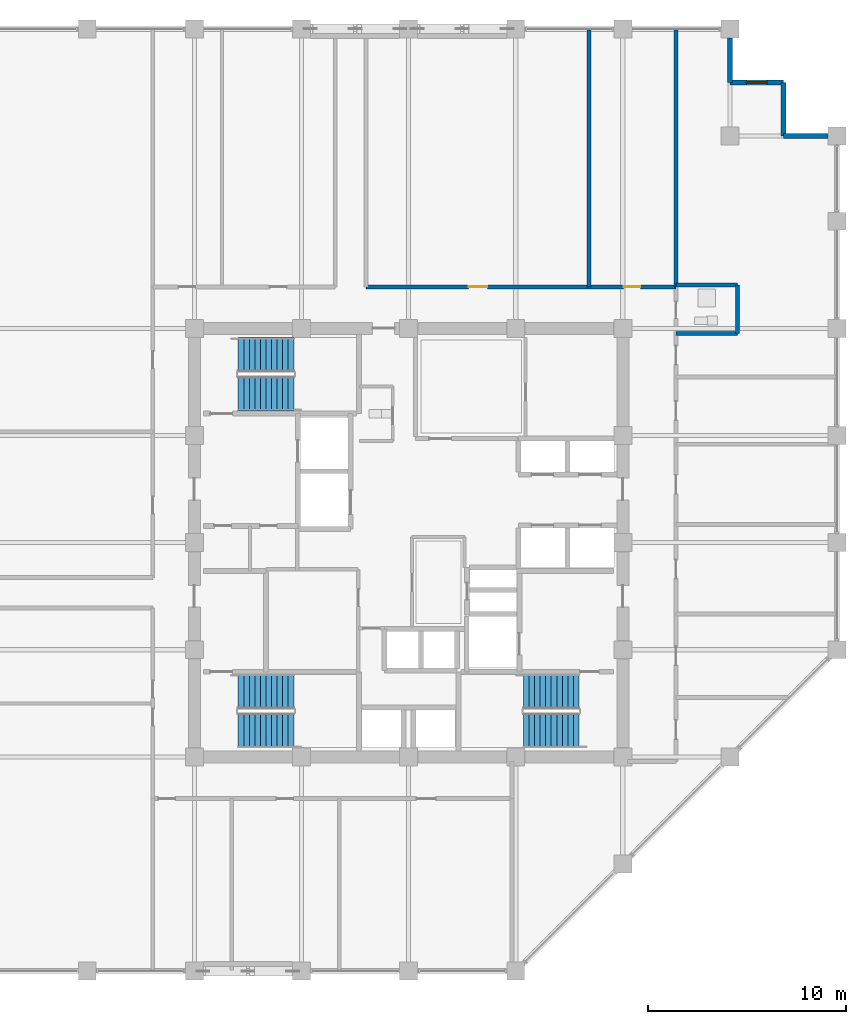
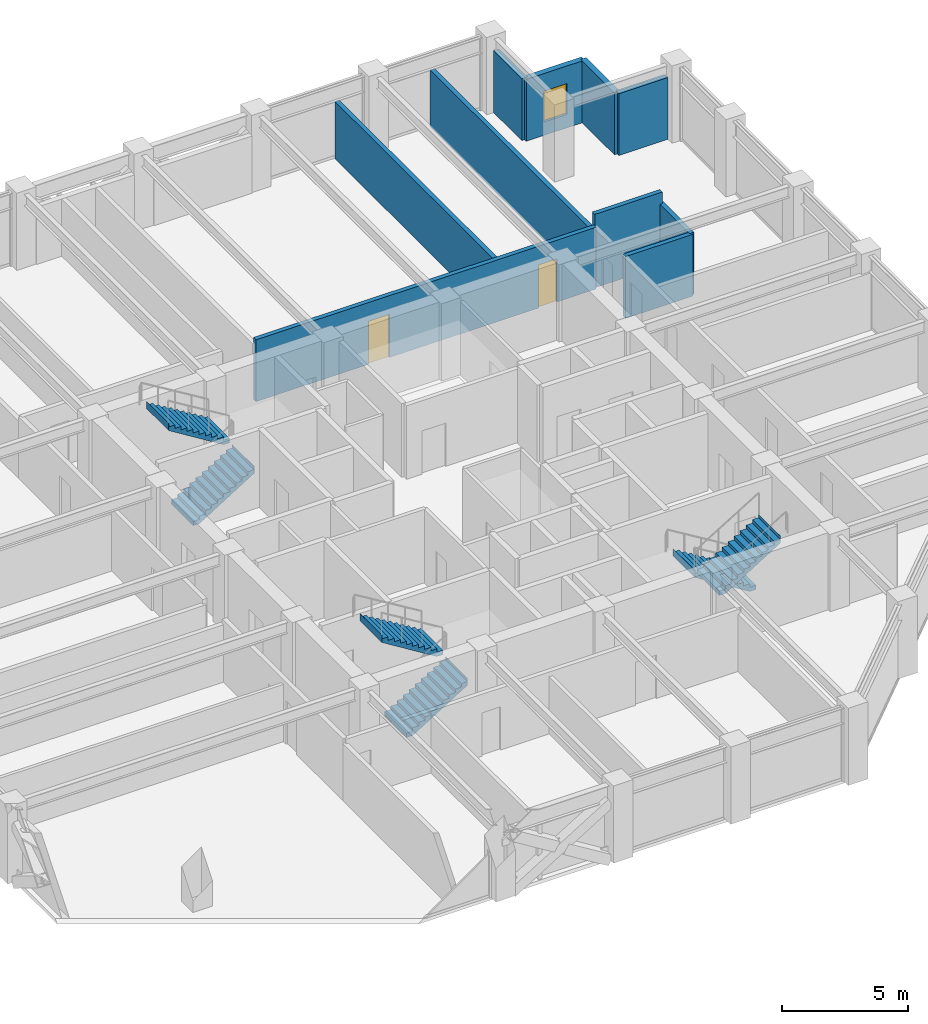
# One storey, part 30 of 32: 10 walls, 6 stair flights, 2 doors, 1 window, 3 openings, 3 elements without a shape of their own.
"""IFC4 building model written with IfcOpenShell, lengths in metres."""

import ifcopenshell
import ifcopenshell.guid

model = None  # the IFC model being written
_history = None  # IfcOwnerHistory: only IFC2X3 demands one
_inside = {}  # id of a spatial element -> (the spatial element, [elements in it])
_under = {}  # id of a project, library or spatial element -> (it, [spatial elements below it])
_declared = {}  # id of a project -> (the project, [libraries it declares])
_typed = {}  # id of a type object -> (the type object, [elements of that type])
_made_of = {}  # id of a material, layer set ... -> (it, [elements and type objects made of it])


def new_model(schema):
    """Start an empty IFC model of exactly this schema.

    Asked for "IFC4X3", IfcOpenShell would pick the latest addendum, in which some entities
    have other attributes; the version numbers below select the first issue.
    IFC2X3 requires an IfcOwnerHistory on every rooted entity: one is made here for all.
    """
    global model, _history
    if schema == "IFC4X3":
        model = ifcopenshell.file(schema_version=(4, 3, 0, 0))
    else:
        model = ifcopenshell.file(schema=schema)
    _inside.clear()
    _under.clear()
    _declared.clear()
    _typed.clear()
    _made_of.clear()
    _history = None
    if model.schema == "IFC2X3":
        org = make("IfcOrganization", Name="unknown")
        user = make(
            "IfcPersonAndOrganization",
            ThePerson=make("IfcPerson", FamilyName="unknown"),
            TheOrganization=org,
        )
        app = make(
            "IfcApplication",
            ApplicationDeveloper=org,
            Version="unknown",
            ApplicationFullName="unknown",
            ApplicationIdentifier="unknown",
        )
        _history = make(
            "IfcOwnerHistory",
            OwningUser=user,
            OwningApplication=app,
            ChangeAction="ADDED",
            CreationDate=0,
        )
    return model


def make(cls, **values):
    """One entity of the class cls with the attributes given. An attribute that is None is left unset."""
    return model.create_entity(
        cls, **{name: value for name, value in values.items() if value is not None}
    )


def rooted(cls, **values):
    """An entity with a GlobalId (a new one), such as an element, a storey or a relation."""
    return make(cls, GlobalId=ifcopenshell.guid.new(), OwnerHistory=_history, **values)


def si_unit(unit_type, name, prefix=None):
    """IfcSIUnit, for example si_unit("LENGTHUNIT", "METRE", prefix="MILLI")."""
    return make("IfcSIUnit", UnitType=unit_type, Prefix=prefix, Name=name)


def assignment(units):
    """IfcUnitAssignment: the units of a project."""
    return None if units is None else make("IfcUnitAssignment", Units=units)


def point(xyz):
    """IfcCartesianPoint."""
    return None if xyz is None else make("IfcCartesianPoint", Coordinates=xyz)


def direction(xyz):
    """IfcDirection."""
    return None if xyz is None else make("IfcDirection", DirectionRatios=xyz)


def frame(location, z_axis=None, x_axis=None):
    """IfcAxis2Placement3D, a coordinate frame: its origin and axes. An axis left out is left unset."""
    return make(
        "IfcAxis2Placement3D",
        Location=point(location),
        Axis=direction(z_axis),
        RefDirection=direction(x_axis),
    )


def frame_2d(location, x_axis=None):
    """IfcAxis2Placement2D, a coordinate frame in the plane: its origin and x axis."""
    return make(
        "IfcAxis2Placement2D", Location=point(location), RefDirection=direction(x_axis)
    )


def origin():
    """The frame at (0, 0, 0) with its axes left unset."""
    return frame((0.0, 0.0, 0.0))


def place(relative_to, where):
    """IfcLocalPlacement: puts the frame where relative to a parent placement (None: the world)."""
    return make(
        "IfcLocalPlacement", PlacementRelTo=relative_to, RelativePlacement=where
    )


def context(
    kind, dimensions, precision=None, world=None, true_north=None, identifier=None
):
    """IfcGeometricRepresentationContext, for example the 3D "Model" context."""
    return make(
        "IfcGeometricRepresentationContext",
        ContextIdentifier=identifier,
        ContextType=kind,
        CoordinateSpaceDimension=dimensions,
        Precision=precision,
        WorldCoordinateSystem=world,
        TrueNorth=true_north,
    )


def subcontext(parent, identifier, kind, view, scale=None):
    """IfcGeometricRepresentationSubContext, for example "Body" below "Model"."""
    return make(
        "IfcGeometricRepresentationSubContext",
        ContextIdentifier=identifier,
        ContextType=kind,
        ParentContext=parent,
        TargetScale=scale,
        TargetView=view,
    )


def project(units=None, contexts=None):
    """IfcProject with its units and contexts."""
    return rooted(
        "IfcProject",
        Name="project",
        RepresentationContexts=contexts,
        UnitsInContext=assignment(units),
    )


def spatial(cls, under=None, at=None, **own):
    """A site, building, storey or space (cls), placed at a placement, below another one or the project."""
    s = rooted(cls, ObjectPlacement=at, **own)
    if under is not None:
        _under.setdefault(under.id(), (under, []))[1].append(s)
    return s


def polyline(points):
    """IfcPolyline through the points."""
    return make("IfcPolyline", Points=[point(p) for p in points])


def profile(cls, at=None, kind="AREA", **sizes):
    """A parametric profile (cls). Its sizes go by their IFC names, for example OverallWidth=200.0."""
    return make(cls, ProfileType=kind, Position=at, **sizes)


def rectangle(**sizes):
    """IfcRectangleProfileDef."""
    return profile("IfcRectangleProfileDef", **sizes)


def outline(outer, holes=None, kind="AREA"):
    """IfcArbitraryClosedProfileDef: a profile drawn as a closed curve; with holes, ...WithVoids."""
    if holes is None:
        return make("IfcArbitraryClosedProfileDef", ProfileType=kind, OuterCurve=outer)
    return make(
        "IfcArbitraryProfileDefWithVoids",
        ProfileType=kind,
        OuterCurve=outer,
        InnerCurves=holes,
    )


def extrude(swept, where, along, depth):
    """IfcExtrudedAreaSolid: the profile swept, set in the frame where, extruded along a direction by depth."""
    return make(
        "IfcExtrudedAreaSolid",
        SweptArea=swept,
        Position=where,
        ExtrudedDirection=direction(along),
        Depth=depth,
    )


def shape(context_of_items, identifier, shape_type, items):
    """IfcShapeRepresentation: the items that make up one representation, for example the "Body"."""
    return make(
        "IfcShapeRepresentation",
        ContextOfItems=context_of_items,
        RepresentationIdentifier=identifier,
        RepresentationType=shape_type,
        Items=items,
    )


def material(Name=None, Category=None):
    """IfcMaterial."""
    return make("IfcMaterial", Name=Name, Category=Category)


def layer(
    of_material, thickness, ventilated=None, Name=None, Category=None, Priority=None
):
    """IfcMaterialLayer: one layer of a wall or slab, of a material (None: an air gap)."""
    return make(
        "IfcMaterialLayer",
        Material=of_material,
        LayerThickness=thickness,
        IsVentilated=ventilated,
        Name=Name,
        Category=Category,
        Priority=Priority,
    )


def layer_set(layers, Name=None):
    """IfcMaterialLayerSet."""
    return make("IfcMaterialLayerSet", MaterialLayers=layers, LayerSetName=Name)


def made_of(thing, what):
    """Note that an element or type object is made of a material, layer set ...; save() writes the relation."""
    if what is not None:
        _made_of.setdefault(what.id(), (what, []))[1].append(thing)
    return thing


def type_object(cls, material=None, **own):
    """A type object (cls), such as IfcWallType, which elements share."""
    return made_of(rooted(cls, **own), material)


def element(
    cls,
    number,
    at=None,
    inside=None,
    cuts=None,
    type_object=None,
    material=None,
    context=None,
    identifier="Body",
    shape_type=None,
    held_by="IfcProductDefinitionShape",
    body=None,
    shapes=None,
    **own,
):
    """One element of the class cls, such as IfcWall. Its Tag is "e" and its number.

    at: its placement. inside: the storey or other place that contains it. cuts: it is an
    opening in that element (IfcRelVoidsElement). A single representation is given by context,
    identifier, shape_type and body (its items); several are given by shapes. held_by: the class
    of the entity that holds the representations. save() writes the other relations.
    """
    e = rooted(cls, Tag="e%d" % number, ObjectPlacement=at, **own)
    if body is not None:
        shapes = [shape(context, identifier, shape_type, body)]
    if shapes is not None:
        e.Representation = make(held_by, Representations=shapes)
    if inside is not None:
        _inside.setdefault(inside.id(), (inside, []))[1].append(e)
    if cuts is not None:
        rooted(
            "IfcRelVoidsElement", RelatingBuildingElement=cuts, RelatedOpeningElement=e
        )
    if type_object is not None:
        _typed.setdefault(type_object.id(), (type_object, []))[1].append(e)
    return made_of(e, material)


def fill(opening, filler):
    """IfcRelFillsElement: the door or window that sits in an opening."""
    return rooted(
        "IfcRelFillsElement",
        RelatingOpeningElement=opening,
        RelatedBuildingElement=filler,
    )


def aggregate(whole, parts):
    """IfcRelAggregates: a whole, such as a stair, and the parts it consists of."""
    return rooted("IfcRelAggregates", RelatingObject=whole, RelatedObjects=parts)


def save(model, path):
    """Write the relations noted so far, then the file.

    IfcRelAggregates (storeys below a building ...), IfcRelContainedInSpatialStructure (elements
    in a storey), IfcRelDefinesByType, IfcRelAssociatesMaterial and IfcRelDeclares: one each for
    every whole, place, type object, material and project.
    """
    for whole, parts in _under.values():
        aggregate(whole, parts)
    for where, things in _inside.values():
        rooted(
            "IfcRelContainedInSpatialStructure",
            RelatedElements=things,
            RelatingStructure=where,
        )
    for kind, things in _typed.values():
        rooted("IfcRelDefinesByType", RelatedObjects=things, RelatingType=kind)
    for what, things in _made_of.values():
        rooted("IfcRelAssociatesMaterial", RelatedObjects=things, RelatingMaterial=what)
    for by, libraries in _declared.values():
        rooted("IfcRelDeclares", RelatingContext=by, RelatedDefinitions=libraries)
    model.write(path)


model = new_model("IFC4")

# Units and contexts
model_context = context("Model", 3, precision=1e-05, world=origin(), true_north=direction((0.0, 1.0)))
body_context = subcontext(model_context, "Body", "Model", "MODEL_VIEW")
ifc_project = project(units=[si_unit("LENGTHUNIT", "METRE"), si_unit("AREAUNIT", "SQUARE_METRE"), si_unit("VOLUMEUNIT", "CUBIC_METRE"), si_unit("PLANEANGLEUNIT", "RADIAN"), si_unit("MASSUNIT", "GRAM", prefix="KILO")], contexts=[model_context])

# Site, building, storey
site_placement = place(None, origin())
site = spatial("IfcSite", under=ifc_project, at=site_placement, CompositionType="ELEMENT")
building_placement = place(site_placement, origin())
building = spatial("IfcBuilding", under=site, at=building_placement, Name="Surkhivell Harbour Commons", CompositionType="ELEMENT")
storey_placement = place(building_placement, frame((0.0, 0.0, 208.5)))
storey = spatial("IfcBuildingStorey", under=building, at=storey_placement, Name="L54", CompositionType="ELEMENT", Elevation=208.5)

# Walls
ifc_material_1 = material(Name="Pale-metal insulated precast concrete C45/55", Category="concrete")
ifc_layer_1 = layer(ifc_material_1, 0.260009765625)
ifc_layer_set_1 = layer_set([ifc_layer_1], Name="Pale-metal insulated precast concrete C45/55")
wall_type_1 = type_object("IfcWallType", Name="WAL-EXT-MTL260", PredefinedType="STANDARD", material=ifc_layer_set_1)
wall_1_placement = place(storey_placement, frame((21.152099609375, 20.5, 0.0), z_axis=(0.0, 0.0, 1.0), x_axis=(-1.0, 0.0, 0.0)))
element("IfcWall", 1, at=wall_1_placement, inside=storey, type_object=wall_type_1, Name="L54 Serrated Corner Facade Wall 03", PredefinedType="STANDARD", context=body_context, shape_type="SweptSolid", body=[
    extrude(rectangle(XDim=2.252197265625, YDim=0.260009765625, at=frame_2d((1.1259765625, 0.0))), origin(), (0.0, 0.0, 1.0), 3.006103515625),
])
wall_2_placement = place(storey_placement, frame((18.89990234375, 20.5, 0.0), z_axis=(0.0, 0.0, 1.0), x_axis=(0.0, 1.0, 0.0)))
element("IfcWall", 2, at=wall_2_placement, inside=storey, type_object=wall_type_1, Name="L54 Serrated Corner Facade Wall 04", PredefinedType="STANDARD", context=body_context, shape_type="SweptSolid", body=[
    extrude(rectangle(XDim=2.699951171875, YDim=0.260009765625, at=frame_2d((1.35009765625, 0.0))), origin(), (0.0, 0.0, 1.0), 3.006103515625),
])

# Wall, opening, window
wall_3_placement = place(storey_placement, frame((18.89990234375, 23.199951171875, 0.0), z_axis=(0.0, 0.0, 1.0), x_axis=(-1.0, 0.0, 0.0)))
wall_3 = element("IfcWall", 3, at=wall_3_placement, inside=storey, type_object=wall_type_1, Name="L54 Serrated Corner Facade Wall 05", PredefinedType="STANDARD", context=body_context, shape_type="SweptSolid", body=[
    extrude(rectangle(XDim=2.699951171875, YDim=0.260009765625, at=frame_2d((1.35009765625, 0.0))), origin(), (0.0, 0.0, 1.0), 3.006103515625),
])
opening_1_placement = place(wall_3_placement, frame((0.824951171875, 0.0, 0.64990234375)))
opening_1 = element("IfcOpeningElement", 4, at=opening_1_placement, cuts=wall_3, Name="Opening WN-11", PredefinedType="OPENING", context=body_context, shape_type="SweptSolid", body=[
    extrude(rectangle(XDim=1.050048828125, YDim=1.5, at=frame_2d((0.52490234375, 0.75))), frame((0.0, 0.139892578125, 0.0), z_axis=(0.0, -1.0, 0.0), x_axis=(1.0, 0.0, 0.0)), (0.0, 0.0, 1.0), 0.280029296875),
])
ifc_material_2 = material(Name="Thermal-break aluminium frame and double low-E glazing", Category="aluminium")
window_type = type_object("IfcWindowType", Name="WIN-SER-1050x1500", PartitioningType="SINGLE_PANEL", PredefinedType="WINDOW", material=ifc_material_2)
window_placement = place(opening_1_placement, origin())
window = element("IfcWindow", 5, at=window_placement, inside=storey, type_object=window_type, Name="L54 Serrated Alcove Window 05", OverallHeight=1.5, OverallWidth=1.050048828125, PartitioningType="SINGLE_PANEL", PredefinedType="WINDOW", context=body_context, shape_type="SweptSolid", body=[
    extrude(rectangle(XDim=1.050048828125, YDim=1.5, at=frame_2d((0.52490234375, 0.75))), frame((0.0, 0.030029296875, 0.0), z_axis=(0.0, -1.0, 0.0), x_axis=(1.0, 0.0, 0.0)), (0.0, 0.0, 1.0), 0.06005859375),
])
fill(opening_1, window)

# Walls
wall_4_placement = place(storey_placement, frame((16.199951171875, 23.199951171875, 0.0), z_axis=(0.0, 0.0, 1.0), x_axis=(0.0, 1.0, 0.0)))
element("IfcWall", 6, at=wall_4_placement, inside=storey, type_object=wall_type_1, Name="L54 Serrated Corner Facade Wall 06", PredefinedType="STANDARD", context=body_context, shape_type="SweptSolid", body=[
    extrude(rectangle(XDim=2.251953125, YDim=0.260009765625, at=frame_2d((1.1259765625, 0.0))), origin(), (0.0, 0.0, 1.0), 3.006103515625),
])
ifc_material_3 = material(Name="Autoclaved aerated concrete blockwork and fire plaster", Category="masonry")
ifc_layer_2 = layer(ifc_material_3, 0.199951171875)
ifc_layer_set_2 = layer_set([ifc_layer_2], Name="Autoclaved aerated concrete blockwork and fire plaster")
wall_type_2 = type_object("IfcWallType", Name="WAL-INT-200", PredefinedType="PARTITIONING", material=ifc_layer_set_2)
wall_5_placement = place(storey_placement, frame((13.47998046875, 12.89990234375, 0.0), z_axis=(0.0, 0.0, 1.0), x_axis=(0.0, 1.0, 0.0)))
element("IfcWall", 7, at=wall_5_placement, inside=storey, type_object=wall_type_2, Name="L54 North-East Corner Wall", PredefinedType="PARTITIONING", context=body_context, shape_type="SweptSolid", body=[
    extrude(rectangle(XDim=12.940185546875, YDim=0.199951171875, at=frame_2d((6.47021484375, 0.0))), origin(), (0.0, 0.0, 1.0), 2.780029296875),
])

# Wall, openings, doors
wall_6_placement = place(storey_placement, frame((-2.14990234375, 12.89990234375, 0.0), z_axis=(0.0, 0.0, 1.0), x_axis=(1.0, 0.0, 0.0)))
wall_6 = element("IfcWall", 8, at=wall_6_placement, inside=storey, type_object=wall_type_2, Name="L54 Corridor North-East Wall", PredefinedType="PARTITIONING", context=body_context, shape_type="SweptSolid", body=[
    extrude(rectangle(XDim=15.6298828125, YDim=0.199951171875, at=frame_2d((7.81494140625, 0.0))), origin(), (0.0, 0.0, 1.0), 3.006103515625),
])
opening_2_placement = place(wall_6_placement, frame((5.175048828125, 0.0, 0.0)))
opening_2 = element("IfcOpeningElement", 9, at=opening_2_placement, cuts=wall_6, Name="Opening ID-4", PredefinedType="OPENING", context=body_context, shape_type="SweptSolid", body=[
    extrude(rectangle(XDim=0.949951171875, YDim=2.10009765625, at=frame_2d((0.47509765625, 1.050048828125))), frame((0.0, 0.10986328125, 0.0), z_axis=(0.0, -1.0, 0.0), x_axis=(1.0, 0.0, 0.0)), (0.0, 0.0, 1.0), 0.219970703125),
])
opening_3_placement = place(wall_6_placement, frame((12.989990234375, 0.0, 0.0)))
opening_3 = element("IfcOpeningElement", 10, at=opening_3_placement, cuts=wall_6, Name="Opening ID-6", PredefinedType="OPENING", context=body_context, shape_type="SweptSolid", body=[
    extrude(rectangle(XDim=0.85009765625, YDim=2.10009765625, at=frame_2d((0.425048828125, 1.050048828125))), frame((0.0, 0.10986328125, 0.0), z_axis=(0.0, -1.0, 0.0), x_axis=(1.0, 0.0, 0.0)), (0.0, 0.0, 1.0), 0.219970703125),
])
ifc_material_4 = material(Name="Hardwood-veneered fire-rated door leaf", Category="wood")
door_type_1 = type_object("IfcDoorType", Name="DOR-FD30-850", OperationType="NOTDEFINED", PredefinedType="DOOR", material=ifc_material_4)
door_1_placement = place(opening_3_placement, origin())
door_1 = element("IfcDoor", 11, at=door_1_placement, inside=storey, type_object=door_type_1, Name="L54 Resident Advisory Reception Desk North-East Door", OperationType="SINGLE_SWING_RIGHT", OverallHeight=2.10009765625, OverallWidth=0.85009765625, PredefinedType="DOOR", context=body_context, shape_type="SweptSolid", body=[
    extrude(rectangle(XDim=0.85009765625, YDim=2.10009765625, at=frame_2d((0.425048828125, 1.050048828125))), frame((0.0, 0.02490234375, 0.0), z_axis=(0.0, -1.0, 0.0), x_axis=(1.0, 0.0, 0.0)), (0.0, 0.0, 1.0), 0.050048828125),
])
fill(opening_3, door_1)
door_type_2 = type_object("IfcDoorType", Name="DOR-FD60-950", OperationType="NOTDEFINED", PredefinedType="DOOR", material=ifc_material_4)
door_2_placement = place(opening_2_placement, origin())
door_2 = element("IfcDoor", 12, at=door_2_placement, inside=storey, type_object=door_type_2, Name="L54 Zone Concierge Reception Foyer North-East Door", OperationType="SINGLE_SWING_LEFT", OverallHeight=2.10009765625, OverallWidth=0.949951171875, PredefinedType="DOOR", context=body_context, shape_type="SweptSolid", body=[
    extrude(rectangle(XDim=0.949951171875, YDim=2.10009765625, at=frame_2d((0.47509765625, 1.050048828125))), frame((0.0, 0.02490234375, 0.0), z_axis=(0.0, -1.0, 0.0), x_axis=(1.0, 0.0, 0.0)), (0.0, 0.0, 1.0), 0.050048828125),
])
fill(opening_2, door_2)

# Walls
wall_7_placement = place(storey_placement, frame((16.580078125, 10.550048828125, 0.0), z_axis=(0.0, 0.0, 1.0), x_axis=(0.0, 1.0, 0.0)))
element("IfcWall", 13, at=wall_7_placement, inside=storey, type_object=wall_type_2, Name="L54 East Partition BTHB", PredefinedType="PARTITIONING", context=body_context, shape_type="SweptSolid", body=[
    extrude(rectangle(XDim=2.449951171875, YDim=0.199951171875, at=frame_2d((1.22509765625, 0.0))), origin(), (0.0, 0.0, 1.0), 3.006103515625),
])
wall_8_placement = place(storey_placement, frame((13.47998046875, 13.0, 0.0), z_axis=(0.0, 0.0, 1.0), x_axis=(1.0, 0.0, 0.0)))
element("IfcWall", 14, at=wall_8_placement, inside=storey, type_object=wall_type_2, Name="L54 East Partition BTHN", PredefinedType="PARTITIONING", context=body_context, shape_type="SweptSolid", body=[
    extrude(rectangle(XDim=3.10009765625, YDim=0.199951171875, at=frame_2d((1.550048828125, 0.0))), origin(), (0.0, 0.0, 1.0), 3.570068359375),
])
wall_9_placement = place(storey_placement, frame((13.47998046875, 10.550048828125, 0.0), z_axis=(0.0, 0.0, 1.0), x_axis=(1.0, 0.0, 0.0)))
element("IfcWall", 15, at=wall_9_placement, inside=storey, type_object=wall_type_2, Name="L54 East Partition BTHS", PredefinedType="PARTITIONING", context=body_context, shape_type="SweptSolid", body=[
    extrude(rectangle(XDim=3.10009765625, YDim=0.199951171875, at=frame_2d((1.550048828125, 0.0))), origin(), (0.0, 0.0, 1.0), 3.006103515625),
])
wall_10_placement = place(storey_placement, frame((9.10009765625, 12.89990234375, 0.0), z_axis=(0.0, 0.0, 1.0), x_axis=(0.0, 1.0, 0.0)))
element("IfcWall", 16, at=wall_10_placement, inside=storey, type_object=wall_type_2, Name="L54 North-East Partition P1", PredefinedType="PARTITIONING", context=body_context, shape_type="SweptSolid", body=[
    extrude(rectangle(XDim=12.940185546875, YDim=0.199951171875, at=frame_2d((6.47021484375, 0.0))), origin(), (0.0, 0.0, 1.0), 2.780029296875),
])

# Stair, stair flights
ifc_material_5 = material(Name="Precast concrete C45/55", Category="concrete")
stair_type = type_object("IfcStairType", Name="STR-DL-375", PredefinedType="HALF_TURN_STAIR", material=ifc_material_5)
stair_1_placement = place(storey_placement, origin())
stair_1 = element("IfcStair", 17, at=stair_1_placement, inside=storey, type_object=stair_type, Name="L54 Core Exit Stair ST1", PredefinedType="HALF_TURN_STAIR")
stair_flight_type = type_object("IfcStairFlightType", Name="STF-DL-375", PredefinedType="STRAIGHT", material=ifc_material_5)
stair_flight_1_placement = place(storey_placement, frame((-8.590087890625, 7.514892578125, 0.0), z_axis=(0.0, 0.0, 1.0), x_axis=(1.0, 0.0, 0.0)))
stair_flight_1 = element("IfcStairFlight", 18, at=stair_flight_1_placement, type_object=stair_flight_type, Name="ST1 flight 1", NumberOfRisers=11, NumberOfTreads=10, PredefinedType="STRAIGHT", RiserHeight=0.170454545, TreadLength=0.28, context=body_context, shape_type="SweptSolid", body=[
    extrude(outline(polyline([(-0.0029296875, -0.034912109375), (-0.0029296875, 0.0), (0.0, 0.0), (0.0, 0.17041015625), (0.280029296875, 0.17041015625), (0.280029296875, 0.3408203125), (0.56005859375, 0.3408203125), (0.56005859375, 0.511474609375), (0.840087890625, 0.511474609375), (0.840087890625, 0.681884765625), (1.1201171875, 0.681884765625), (1.1201171875, 0.852294921875), (1.39990234375, 0.852294921875), (1.39990234375, 1.022705078125), (1.679931640625, 1.022705078125), (1.679931640625, 1.193115234375), (1.9599609375, 1.193115234375), (1.9599609375, 1.363525390625), (2.239990234375, 1.363525390625), (2.239990234375, 1.5341796875), (2.52001953125, 1.5341796875), (2.52001953125, 1.70458984375), (2.800048828125, 1.70458984375), (2.800048828125, 1.875), (2.802978515625, 1.875), (2.802978515625, 1.529052734375), (0.288330078125, -0.034912109375), (-0.0029296875, -0.034912109375)])), frame((0.0, 0.875, 0.0), z_axis=(0.0, -1.0, 0.0), x_axis=(1.0, 0.0, 0.0)), (0.0, 0.0, 1.0), 1.75),
])
stair_flight_2_placement = place(storey_placement, frame((-5.7900390625, 9.465087890625, 1.875), z_axis=(0.0, 0.0, 1.0), x_axis=(-1.0, 0.0, 0.0)))
stair_flight_2 = element("IfcStairFlight", 19, at=stair_flight_2_placement, type_object=stair_flight_type, Name="ST1 flight 2", NumberOfRisers=11, NumberOfTreads=10, PredefinedType="STRAIGHT", RiserHeight=0.170454545, TreadLength=0.28, context=body_context, shape_type="SweptSolid", body=[
    extrude(outline(polyline([(-0.0029296875, -0.034912109375), (-0.0029296875, 0.0), (0.0, 0.0), (0.0, 0.17041015625), (0.280029296875, 0.17041015625), (0.280029296875, 0.3408203125), (0.56005859375, 0.3408203125), (0.56005859375, 0.511474609375), (0.840087890625, 0.511474609375), (0.840087890625, 0.681884765625), (1.1201171875, 0.681884765625), (1.1201171875, 0.852294921875), (1.39990234375, 0.852294921875), (1.39990234375, 1.022705078125), (1.679931640625, 1.022705078125), (1.679931640625, 1.193115234375), (1.9599609375, 1.193115234375), (1.9599609375, 1.363525390625), (2.239990234375, 1.363525390625), (2.239990234375, 1.5341796875), (2.52001953125, 1.5341796875), (2.52001953125, 1.70458984375), (2.800048828125, 1.70458984375), (2.800048828125, 1.875), (2.802978515625, 1.875), (2.802978515625, 1.529052734375), (0.288330078125, -0.034912109375), (-0.0029296875, -0.034912109375)])), frame((0.0, 0.875, 0.0), z_axis=(0.0, -1.0, 0.0), x_axis=(1.0, 0.0, 0.0)), (0.0, 0.0, 1.0), 1.75),
])
aggregate(stair_1, [stair_flight_1, stair_flight_2])

stair_2_placement = place(storey_placement, origin())
stair_2 = element("IfcStair", 20, at=stair_2_placement, inside=storey, type_object=stair_type, Name="L54 Core Exit Stair ST2", PredefinedType="HALF_TURN_STAIR")
stair_flight_3_placement = place(storey_placement, frame((8.590087890625, -7.514892578125, 0.0), z_axis=(0.0, 0.0, 1.0), x_axis=(-1.0, 0.0, 0.0)))
stair_flight_3 = element("IfcStairFlight", 21, at=stair_flight_3_placement, type_object=stair_flight_type, Name="ST2 flight 1", NumberOfRisers=11, NumberOfTreads=10, PredefinedType="STRAIGHT", RiserHeight=0.170454545, TreadLength=0.28, context=body_context, shape_type="SweptSolid", body=[
    extrude(outline(polyline([(-0.0029296875, -0.034912109375), (-0.0029296875, 0.0), (0.0, 0.0), (0.0, 0.17041015625), (0.280029296875, 0.17041015625), (0.280029296875, 0.3408203125), (0.56005859375, 0.3408203125), (0.56005859375, 0.511474609375), (0.840087890625, 0.511474609375), (0.840087890625, 0.681884765625), (1.1201171875, 0.681884765625), (1.1201171875, 0.852294921875), (1.39990234375, 0.852294921875), (1.39990234375, 1.022705078125), (1.679931640625, 1.022705078125), (1.679931640625, 1.193115234375), (1.9599609375, 1.193115234375), (1.9599609375, 1.363525390625), (2.239990234375, 1.363525390625), (2.239990234375, 1.5341796875), (2.52001953125, 1.5341796875), (2.52001953125, 1.70458984375), (2.800048828125, 1.70458984375), (2.800048828125, 1.875), (2.802978515625, 1.875), (2.802978515625, 1.529052734375), (0.288330078125, -0.034912109375), (-0.0029296875, -0.034912109375)])), frame((0.0, 0.875, 0.0), z_axis=(0.0, -1.0, 0.0), x_axis=(1.0, 0.0, 0.0)), (0.0, 0.0, 1.0), 1.75),
])
stair_flight_4_placement = place(storey_placement, frame((5.7900390625, -9.465087890625, 1.875), z_axis=(0.0, 0.0, 1.0), x_axis=(1.0, 0.0, 0.0)))
stair_flight_4 = element("IfcStairFlight", 22, at=stair_flight_4_placement, type_object=stair_flight_type, Name="ST2 flight 2", NumberOfRisers=11, NumberOfTreads=10, PredefinedType="STRAIGHT", RiserHeight=0.170454545, TreadLength=0.28, context=body_context, shape_type="SweptSolid", body=[
    extrude(outline(polyline([(-0.0029296875, -0.034912109375), (-0.0029296875, 0.0), (0.0, 0.0), (0.0, 0.17041015625), (0.280029296875, 0.17041015625), (0.280029296875, 0.3408203125), (0.56005859375, 0.3408203125), (0.56005859375, 0.511474609375), (0.840087890625, 0.511474609375), (0.840087890625, 0.681884765625), (1.1201171875, 0.681884765625), (1.1201171875, 0.852294921875), (1.39990234375, 0.852294921875), (1.39990234375, 1.022705078125), (1.679931640625, 1.022705078125), (1.679931640625, 1.193115234375), (1.9599609375, 1.193115234375), (1.9599609375, 1.363525390625), (2.239990234375, 1.363525390625), (2.239990234375, 1.5341796875), (2.52001953125, 1.5341796875), (2.52001953125, 1.70458984375), (2.800048828125, 1.70458984375), (2.800048828125, 1.875), (2.802978515625, 1.875), (2.802978515625, 1.529052734375), (0.288330078125, -0.034912109375), (-0.0029296875, -0.034912109375)])), frame((0.0, 0.875, 0.0), z_axis=(0.0, -1.0, 0.0), x_axis=(1.0, 0.0, 0.0)), (0.0, 0.0, 1.0), 1.75),
])
aggregate(stair_2, [stair_flight_3, stair_flight_4])

stair_3_placement = place(storey_placement, origin())
stair_3 = element("IfcStair", 23, at=stair_3_placement, inside=storey, type_object=stair_type, Name="L54 Core Exit Stair ST3", PredefinedType="HALF_TURN_STAIR")
stair_flight_5_placement = place(storey_placement, frame((-8.590087890625, -9.465087890625, 0.0), z_axis=(0.0, 0.0, 1.0), x_axis=(1.0, 0.0, 0.0)))
stair_flight_5 = element("IfcStairFlight", 24, at=stair_flight_5_placement, type_object=stair_flight_type, Name="ST3 flight 1", NumberOfRisers=11, NumberOfTreads=10, PredefinedType="STRAIGHT", RiserHeight=0.170454545, TreadLength=0.28, context=body_context, shape_type="SweptSolid", body=[
    extrude(outline(polyline([(-0.0029296875, -0.034912109375), (-0.0029296875, 0.0), (0.0, 0.0), (0.0, 0.17041015625), (0.280029296875, 0.17041015625), (0.280029296875, 0.3408203125), (0.56005859375, 0.3408203125), (0.56005859375, 0.511474609375), (0.840087890625, 0.511474609375), (0.840087890625, 0.681884765625), (1.1201171875, 0.681884765625), (1.1201171875, 0.852294921875), (1.39990234375, 0.852294921875), (1.39990234375, 1.022705078125), (1.679931640625, 1.022705078125), (1.679931640625, 1.193115234375), (1.9599609375, 1.193115234375), (1.9599609375, 1.363525390625), (2.239990234375, 1.363525390625), (2.239990234375, 1.5341796875), (2.52001953125, 1.5341796875), (2.52001953125, 1.70458984375), (2.800048828125, 1.70458984375), (2.800048828125, 1.875), (2.802978515625, 1.875), (2.802978515625, 1.529052734375), (0.288330078125, -0.034912109375), (-0.0029296875, -0.034912109375)])), frame((0.0, 0.875, 0.0), z_axis=(0.0, -1.0, 0.0), x_axis=(1.0, 0.0, 0.0)), (0.0, 0.0, 1.0), 1.75),
])
stair_flight_6_placement = place(storey_placement, frame((-5.7900390625, -7.514892578125, 1.875), z_axis=(0.0, 0.0, 1.0), x_axis=(-1.0, 0.0, 0.0)))
stair_flight_6 = element("IfcStairFlight", 25, at=stair_flight_6_placement, type_object=stair_flight_type, Name="ST3 flight 2", NumberOfRisers=11, NumberOfTreads=10, PredefinedType="STRAIGHT", RiserHeight=0.170454545, TreadLength=0.28, context=body_context, shape_type="SweptSolid", body=[
    extrude(outline(polyline([(-0.0029296875, -0.034912109375), (-0.0029296875, 0.0), (0.0, 0.0), (0.0, 0.17041015625), (0.280029296875, 0.17041015625), (0.280029296875, 0.3408203125), (0.56005859375, 0.3408203125), (0.56005859375, 0.511474609375), (0.840087890625, 0.511474609375), (0.840087890625, 0.681884765625), (1.1201171875, 0.681884765625), (1.1201171875, 0.852294921875), (1.39990234375, 0.852294921875), (1.39990234375, 1.022705078125), (1.679931640625, 1.022705078125), (1.679931640625, 1.193115234375), (1.9599609375, 1.193115234375), (1.9599609375, 1.363525390625), (2.239990234375, 1.363525390625), (2.239990234375, 1.5341796875), (2.52001953125, 1.5341796875), (2.52001953125, 1.70458984375), (2.800048828125, 1.70458984375), (2.800048828125, 1.875), (2.802978515625, 1.875), (2.802978515625, 1.529052734375), (0.288330078125, -0.034912109375), (-0.0029296875, -0.034912109375)])), frame((0.0, 0.875, 0.0), z_axis=(0.0, -1.0, 0.0), x_axis=(1.0, 0.0, 0.0)), (0.0, 0.0, 1.0), 1.75),
])
aggregate(stair_3, [stair_flight_5, stair_flight_6])

save(model, "model.ifc")
